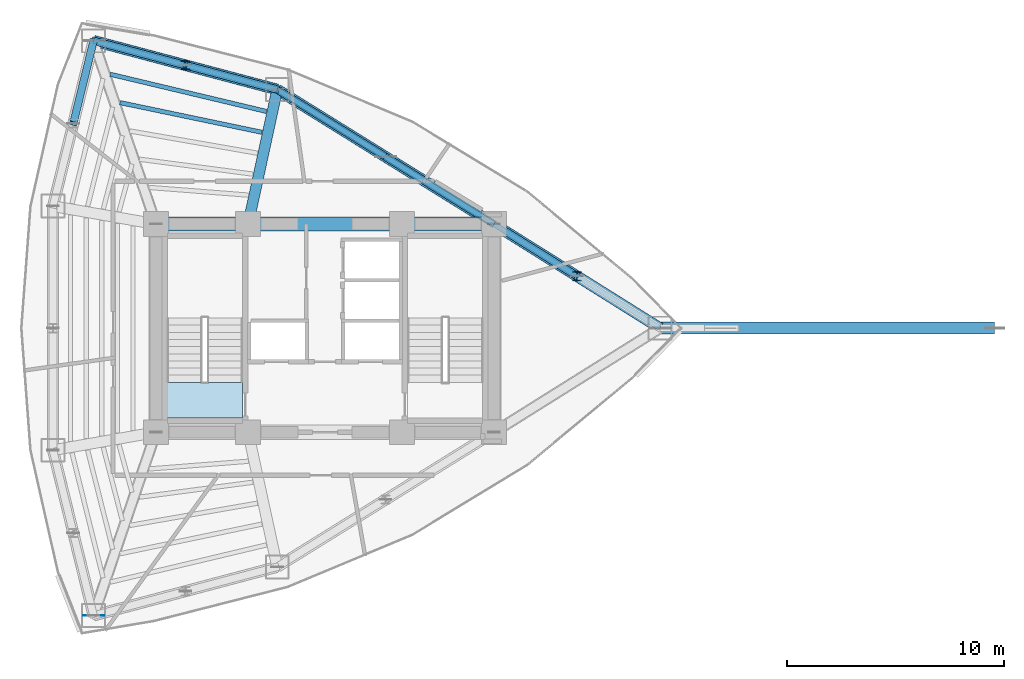
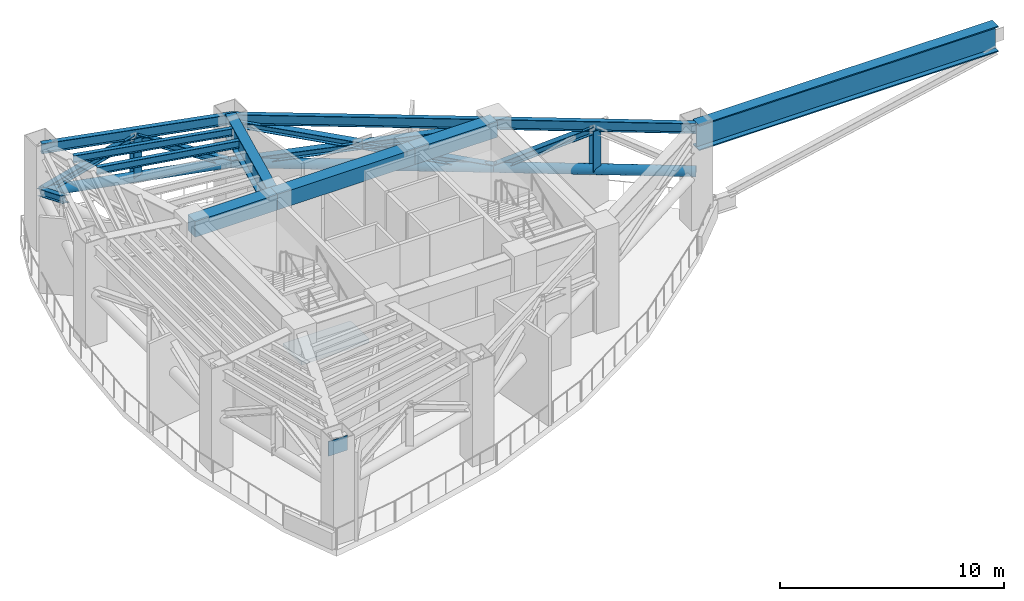
# One storey, part 3 of 8: 12 members, 10 beams, 1 plate, 1 slab, 1 element without a shape of its own.
"""IFC4 building model written with IfcOpenShell, lengths in metres."""

from ifc_helpers import new_model, si_unit, direction, frame, origin, origin_2d, place, context, subcontext, project, spatial, polyline, rectangle, hollow_circle, i_section, outline, extrude, material, layer, layer_set, material_profile, profile_set, type_object, element, aggregate, save


model = new_model("IFC4")

# Units and contexts
model_context = context("Model", 3, precision=1e-05, world=origin(), true_north=direction((0.0, 1.0)))
body_context = subcontext(model_context, "Body", "Model", "MODEL_VIEW")
ifc_project = project(units=[si_unit("LENGTHUNIT", "METRE"), si_unit("AREAUNIT", "SQUARE_METRE"), si_unit("VOLUMEUNIT", "CUBIC_METRE"), si_unit("PLANEANGLEUNIT", "RADIAN"), si_unit("MASSUNIT", "GRAM", prefix="KILO")], contexts=[model_context])

# Site, building, storey
site_placement = place(None, origin())
site = spatial("IfcSite", under=ifc_project, at=site_placement, CompositionType="ELEMENT")
building_placement = place(site_placement, origin())
building = spatial("IfcBuilding", under=site, at=building_placement, Name="Menara Vayukalpa", CompositionType="ELEMENT")
storey_placement = place(building_placement, frame((0.0, 0.0, 148.6201171875)))
storey = spatial("IfcBuildingStorey", under=building, at=storey_placement, Name="L37", CompositionType="ELEMENT", Elevation=148.6201171875)

# Beams
ifc_material_1 = material(Name="Concrete C60/75", Category="concrete")
ifc_material_profile_1 = material_profile(ifc_material_1, rectangle(XDim=0.64990234375, YDim=0.85009765625, at=origin_2d()), Name="RC 650x850")
ifc_profile_set_1 = profile_set([ifc_material_profile_1], Name="Concrete C60/75")
beam_type_1 = type_object("IfcBeamType", Name="BM-CB1", PredefinedType="BEAM", material=ifc_profile_set_1)
beam_1_placement = place(storey_placement, frame((17.800048828125, 26.800048828125, 4.994873046875), z_axis=(1.0, 0.0, 0.0), x_axis=(0.0, 1.0, 0.0)))
element("IfcBeam", 1, at=beam_1_placement, inside=storey, type_object=beam_type_1, Name="L37 Core Tie Beam CBR4", PredefinedType="BEAM", context=body_context, shape_type="SweptSolid", body=[
    extrude(rectangle(XDim=0.64990234375, YDim=0.85009765625, at=origin_2d()), origin(), (0.0, 0.0, 1.0), 4.25),
])
beam_2_placement = place(storey_placement, frame((22.050048828125, 26.800048828125, 4.994873046875), z_axis=(1.0, 0.0, 0.0), x_axis=(0.0, 1.0, 0.0)))
element("IfcBeam", 2, at=beam_2_placement, inside=storey, type_object=beam_type_1, Name="L37 Core Tie Beam CBR5", PredefinedType="BEAM", context=body_context, shape_type="SweptSolid", body=[
    extrude(rectangle(XDim=0.64990234375, YDim=0.85009765625, at=origin_2d()), origin(), (0.0, 0.0, 1.0), 7.099853515625),
])
beam_3_placement = place(storey_placement, frame((29.14990234375, 26.800048828125, 4.994873046875), z_axis=(1.0, 0.0, 0.0), x_axis=(0.0, 1.0, 0.0)))
element("IfcBeam", 3, at=beam_3_placement, inside=storey, type_object=beam_type_1, Name="L37 Core Tie Beam CBR6", PredefinedType="BEAM", context=body_context, shape_type="SweptSolid", body=[
    extrude(rectangle(XDim=0.64990234375, YDim=0.85009765625, at=origin_2d()), origin(), (0.0, 0.0, 1.0), 4.25),
])
ifc_material_2 = material(Name="Steel S355", Category="steel")
ifc_material_profile_2 = material_profile(ifc_material_2, i_section(OverallWidth=0.199951171875, OverallDepth=0.39990234375, WebThickness=0.008056640625, FlangeThickness=0.012939453125, at=origin_2d()), Name="WF 400x200x8x13")
ifc_profile_set_2 = profile_set([ifc_material_profile_2], Name="Steel S355")
beam_type_2 = type_object("IfcBeamType", Name="BM-SJ2", PredefinedType="JOIST", material=ifc_profile_set_2)
beam_4_placement = place(storey_placement, frame((22.692626953125, 31.0380859375, 5.219970703125), z_axis=(-0.978824266777, 0.204702356529, 0.0), x_axis=(-0.204702356529, -0.978824266777, 0.0)))
element("IfcBeam", 4, at=beam_4_placement, inside=storey, type_object=beam_type_2, Name="L37 Secondary Floor Joist SJ03-4", PredefinedType="JOIST", context=body_context, shape_type="SweptSolid", body=[
    extrude(i_section(OverallWidth=0.199951171875, OverallDepth=0.39990234375, WebThickness=0.008056640625, FlangeThickness=0.012939453125, at=origin_2d()), origin(), (0.0, 0.0, 1.0), 6.697998046875),
])
beam_5_placement = place(storey_placement, frame((22.9013671875, 32.000244140625, 5.219970703125), z_axis=(-0.972811512853, 0.231598273872, 0.0), x_axis=(-0.231598273872, -0.972811512853, 0.0)))
element("IfcBeam", 5, at=beam_5_placement, inside=storey, type_object=beam_type_2, Name="L37 Secondary Floor Joist SJ03-5", PredefinedType="JOIST", context=body_context, shape_type="SweptSolid", body=[
    extrude(i_section(OverallWidth=0.199951171875, OverallDepth=0.39990234375, WebThickness=0.008056640625, FlangeThickness=0.012939453125, at=origin_2d()), origin(), (0.0, 0.0, 1.0), 7.416015625),
])
ifc_material_3 = material(Name="Steel S355", Category="steel")
ifc_material_profile_3 = material_profile(ifc_material_3, i_section(OverallWidth=0.239990234375, OverallDepth=0.550048828125, WebThickness=0.010986328125, FlangeThickness=0.01904296875, at=origin_2d()), Name="WF 550x240x11x19")
ifc_profile_set_3 = profile_set([ifc_material_profile_3], Name="Steel S355")
beam_type_3 = type_object("IfcBeamType", Name="BM-SP2", PredefinedType="SPANDREL", material=ifc_profile_set_3)
beam_6_placement = place(storey_placement, frame((41.05908203125, 22.0, 5.144775390625), z_axis=(-0.847348220701, 0.531037656739, 0.0), x_axis=(-0.531037656739, -0.847348220701, 0.0)))
element("IfcBeam", 6, at=beam_6_placement, inside=storey, type_object=beam_type_3, Name="L37 Perimeter Spandrel Beam SP01", PredefinedType="SPANDREL", context=body_context, shape_type="SweptSolid", body=[
    extrude(i_section(OverallWidth=0.239990234375, OverallDepth=0.550048828125, WebThickness=0.010986328125, FlangeThickness=0.01904296875, at=origin_2d()), origin(), (0.0, 0.0, 1.0), 9.0390625),
])
beam_7_placement = place(storey_placement, frame((33.39990234375, 26.800048828125, 5.144775390625), z_axis=(-0.849518408464, 0.527558976495, 0.0), x_axis=(-0.527558976495, -0.849518408464, 0.0)))
element("IfcBeam", 7, at=beam_7_placement, inside=storey, type_object=beam_type_3, Name="L37 Perimeter Spandrel Beam SP02", PredefinedType="SPANDREL", context=body_context, shape_type="SweptSolid", body=[
    extrude(i_section(OverallWidth=0.239990234375, OverallDepth=0.550048828125, WebThickness=0.010986328125, FlangeThickness=0.01904296875, at=origin_2d()), origin(), (0.0, 0.0, 1.0), 11.77490234375),
])
beam_8_placement = place(storey_placement, frame((23.39697265625, 33.011962890625, 5.144775390625), z_axis=(-0.96657141455, 0.256397544009, 0.0), x_axis=(-0.256397544009, -0.96657141455, 0.0)))
element("IfcBeam", 8, at=beam_8_placement, inside=storey, type_object=beam_type_3, Name="L37 Perimeter Spandrel Beam SP03", PredefinedType="SPANDREL", context=body_context, shape_type="SweptSolid", body=[
    extrude(i_section(OverallWidth=0.239990234375, OverallDepth=0.550048828125, WebThickness=0.010986328125, FlangeThickness=0.01904296875, at=origin_2d()), origin(), (0.0, 0.0, 1.0), 8.769775390625),
])
ifc_material_4 = material(Name="Steel S460", Category="steel")
ifc_material_profile_4 = material_profile(ifc_material_4, i_section(OverallWidth=0.550048828125, OverallDepth=1.39990234375, WebThickness=0.031982421875, FlangeThickness=0.06005859375, at=origin_2d()), Name="WG 1400x550x32x60")
ifc_profile_set_4 = profile_set([ifc_material_profile_4], Name="Steel S460")
beam_type_4 = type_object("IfcBeamType", Name="BM-TG1E", PredefinedType="BEAM", material=ifc_profile_set_4)
beam_9_placement = place(storey_placement, frame((41.05908203125, 22.0, 4.719970703125), z_axis=(1.0, 0.0, 0.0), x_axis=(0.0, 1.0, 0.0)))
element("IfcBeam", 9, at=beam_9_placement, inside=storey, type_object=beam_type_4, Name="L37 SB3 Cantilever Support Transfer Girder 01", PredefinedType="BEAM", context=body_context, shape_type="SweptSolid", body=[
    extrude(i_section(OverallWidth=0.550048828125, OverallDepth=1.39990234375, WebThickness=0.031982421875, FlangeThickness=0.06005859375, at=origin_2d()), origin(), (0.0, 0.0, 1.0), 15.44287109375),
])
ifc_material_5 = material(Name="Steel S460", Category="steel")
ifc_material_profile_5 = material_profile(ifc_material_5, i_section(OverallWidth=0.5, OverallDepth=1.25, WebThickness=0.028076171875, FlangeThickness=0.054931640625, at=origin_2d()), Name="WG 1250x500x28x55")
ifc_profile_set_5 = profile_set([ifc_material_profile_5], Name="Steel S460")
beam_type_5 = type_object("IfcBeamType", Name="BM-TG2", PredefinedType="BEAM", material=ifc_profile_set_5)
beam_10_placement = place(storey_placement, frame((22.10302734375, 27.044189453125, 4.794921875), z_axis=(0.211898459532, 0.9772916877, 0.0), x_axis=(-0.9772916877, 0.211898459532, 0.0)))
element("IfcBeam", 10, at=beam_10_placement, inside=storey, type_object=beam_type_5, Name="L37 Primary Radial Girder RG03", PredefinedType="BEAM", context=body_context, shape_type="SweptSolid", body=[
    extrude(i_section(OverallWidth=0.5, OverallDepth=1.25, WebThickness=0.028076171875, FlangeThickness=0.054931640625, at=origin_2d()), origin(), (0.0, 0.0, 1.0), 6.1064453125),
])

# Members
ifc_material_6 = material(Name="Steel S355", Category="steel")
ifc_material_profile_6 = material_profile(ifc_material_6, i_section(OverallWidth=0.35009765625, OverallDepth=0.35009765625, WebThickness=0.011962890625, FlangeThickness=0.01904296875, at=origin_2d()), Name="H 350x350x12x19")
ifc_profile_set_6 = profile_set([ifc_material_profile_6], Name="Steel S355")
member_type_1 = type_object("IfcMemberType", Name="MEM-BT1", PredefinedType="BRACE", material=ifc_profile_set_6)
member_1_placement = place(storey_placement, frame((33.39990234375, 26.800048828125, 2.75), z_axis=(0.760541216967, -0.476659486421, 0.440877297328), x_axis=(0.531057049257, 0.847336066997, 0.0)))
element("IfcMember", 11, at=member_1_placement, inside=storey, type_object=member_type_1, Name="L37 Belt Truss Diagonal B01", PredefinedType="BRACE", context=body_context, shape_type="SweptSolid", body=[
    extrude(i_section(OverallWidth=0.35009765625, OverallDepth=0.35009765625, WebThickness=0.011962890625, FlangeThickness=0.01904296875, at=origin_2d()), origin(), (0.0, 0.0, 1.0), 5.035400390625),
])
member_2_placement = place(storey_placement, frame((33.39990234375, 26.800048828125, 2.75), z_axis=(-0.834811040159, 0.5184255615, 0.185271326471), x_axis=(-0.527558976495, -0.849518408464, 0.0)))
element("IfcMember", 12, at=member_2_placement, inside=storey, type_object=member_type_1, Name="L37 Belt X-Brace Continuous Diagonal 02", PredefinedType="BRACE", context=body_context, shape_type="SweptSolid", body=[
    extrude(i_section(OverallWidth=0.35009765625, OverallDepth=0.35009765625, WebThickness=0.011962890625, FlangeThickness=0.01904296875, at=origin_2d()), origin(), (0.0, 0.0, 1.0), 11.982177734375),
])
for number, where, z_axis, x_axis, name in (
    (13, (23.39697265625, 33.011962890625, 2.75), (0.834814191359, -0.518427518426, 0.185251650587), (0.527558976495, 0.849518408464, 0.0), "L37 Belt X-Brace Split Lower Diagonal 02A"),
    (14, (28.3984375, 29.906005859375, 3.85986328125), (0.834807888648, -0.518423604382, 0.185291002132), (0.527558976495, 0.849518408464, 0.0), "L37 Belt X-Brace Split Upper Diagonal 02B"),
):
    element("IfcMember", number, at=place(storey_placement, frame(where, z_axis=z_axis, x_axis=x_axis)), inside=storey, type_object=member_type_1, Name=name, PredefinedType="BRACE", context=body_context, shape_type="SweptSolid", body=[
        extrude(i_section(OverallWidth=0.35009765625, OverallDepth=0.35009765625, WebThickness=0.011962890625, FlangeThickness=0.01904296875, at=origin_2d()), origin(), (0.0, 0.0, 1.0), 5.9912109375),
    ])
for number, where, z_axis, x_axis, name in (
    (15, (23.39697265625, 33.011962890625, 2.75), (-0.862350412859, 0.228751362397, 0.451690800929), (-0.256397544009, -0.96657141455, 0.0), "L37 Belt Truss Diagonal A03"),
    (16, (14.92041015625, 35.260498046875, 2.75), (0.862350412859, -0.228751362397, 0.451690800929), (0.256397544009, 0.96657141455, 0.0), "L37 Belt Truss Diagonal B03"),
):
    element("IfcMember", number, at=place(storey_placement, frame(where, z_axis=z_axis, x_axis=x_axis)), inside=storey, type_object=member_type_1, Name=name, PredefinedType="BRACE", context=body_context, shape_type="SweptSolid", body=[
        extrude(i_section(OverallWidth=0.35009765625, OverallDepth=0.35009765625, WebThickness=0.011962890625, FlangeThickness=0.01904296875, at=origin_2d()), origin(), (0.0, 0.0, 1.0), 4.914794921875),
    ])
member_3_placement = place(storey_placement, frame((14.92041015625, 35.260498046875, 2.75), z_axis=(-0.20736967609, -0.845496821303, 0.492070058635), x_axis=(0.971215185657, -0.238203826897, 0.0)))
element("IfcMember", 17, at=member_3_placement, inside=storey, type_object=member_type_1, Name="L37 Belt Truss Diagonal A04", PredefinedType="BRACE", context=body_context, shape_type="SweptSolid", body=[
    extrude(i_section(OverallWidth=0.35009765625, OverallDepth=0.35009765625, WebThickness=0.011962890625, FlangeThickness=0.01904296875, at=origin_2d()), origin(), (0.0, 0.0, 1.0), 4.511474609375),
])
ifc_material_7 = material(Name="Steel S460", Category="steel")
ifc_material_profile_7 = material_profile(ifc_material_7, hollow_circle(Radius=0.25390625, WallThickness=0.02490234375, at=origin_2d()), Name="CHS 508.0x25")
ifc_profile_set_7 = profile_set([ifc_material_profile_7], Name="Steel S460")
member_type_2 = type_object("IfcMemberType", Name="MEM-CH1", PredefinedType="CHORD", material=ifc_profile_set_7)
member_4_placement = place(storey_placement, frame((41.05908203125, 22.0, 2.75), z_axis=(-0.847348220701, 0.531037656739, 0.0), x_axis=(-0.531037656739, -0.847348220701, 0.0)))
element("IfcMember", 18, at=member_4_placement, inside=storey, type_object=member_type_2, Name="L37 Belt Truss Bottom Chord 01", PredefinedType="CHORD", context=body_context, shape_type="SweptSolid", body=[
    extrude(hollow_circle(Radius=0.25390625, WallThickness=0.02490234375, at=origin_2d()), origin(), (0.0, 0.0, 1.0), 9.0390625),
])
member_5_placement = place(storey_placement, frame((33.39990234375, 26.800048828125, 2.75), z_axis=(-0.849518408464, 0.527558976495, 0.0), x_axis=(-0.527558976495, -0.849518408464, 0.0)))
element("IfcMember", 19, at=member_5_placement, inside=storey, type_object=member_type_2, Name="L37 Belt Truss Bottom Chord 02", PredefinedType="CHORD", context=body_context, shape_type="SweptSolid", body=[
    extrude(hollow_circle(Radius=0.25390625, WallThickness=0.02490234375, at=origin_2d()), origin(), (0.0, 0.0, 1.0), 11.77490234375),
])
member_6_placement = place(storey_placement, frame((23.39697265625, 33.011962890625, 2.75), z_axis=(-0.96657141455, 0.256397544009, 0.0), x_axis=(-0.256397544009, -0.96657141455, 0.0)))
element("IfcMember", 20, at=member_6_placement, inside=storey, type_object=member_type_2, Name="L37 Belt Truss Bottom Chord 03", PredefinedType="CHORD", context=body_context, shape_type="SweptSolid", body=[
    extrude(hollow_circle(Radius=0.25390625, WallThickness=0.02490234375, at=origin_2d()), origin(), (0.0, 0.0, 1.0), 8.769775390625),
])
ifc_material_8 = material(Name="Steel S355", Category="steel")
ifc_material_profile_8 = material_profile(ifc_material_8, i_section(OverallWidth=0.39990234375, OverallDepth=0.39990234375, WebThickness=0.012939453125, FlangeThickness=0.02099609375, at=origin_2d()), Name="H 400x400x13x21")
ifc_profile_set_8 = profile_set([ifc_material_profile_8], Name="Steel S355")
member_type_3 = type_object("IfcMemberType", Name="MEM-ST1", PredefinedType="STRUT", material=ifc_profile_set_8)
for number, where, z_axis, x_axis, name in (
    (21, (37.2294921875, 24.39990234375, 2.75), (0.0, 0.0, 1.0), (1.0, 0.0, 0.0), "L37 Belt Truss Vertical Strut 01"),
    (22, (19.15869140625, 34.13623046875, 2.75), (0.0, 0.0, 1.0), (1.0, 0.0, 0.0), "L37 Belt Truss Vertical Strut 03"),
):
    element("IfcMember", number, at=place(storey_placement, frame(where, z_axis=z_axis, x_axis=x_axis)), inside=storey, type_object=member_type_3, Name=name, PredefinedType="STRUT", context=body_context, shape_type="SweptSolid", body=[
        extrude(i_section(OverallWidth=0.39990234375, OverallDepth=0.39990234375, WebThickness=0.012939453125, FlangeThickness=0.02099609375, at=origin_2d()), origin(), (0.0, 0.0, 1.0), 2.219970703125),
    ])

# Plate
ifc_material_9 = material(Name="Steel S355", Category="steel")
ifc_layer_1 = layer(ifc_material_9, 0.0380859375)
ifc_layer_set_1 = layer_set([ifc_layer_1], Name="Steel S355")
plate_type = type_object("IfcPlateType", Name="PLT-OTN2", PredefinedType="USERDEFINED", material=ifc_layer_set_1)
plate_placement = place(storey_placement, frame((14.92041015625, 8.739501953125, 4.56982421875), z_axis=(0.0, 0.0, 1.0), x_axis=(1.0, 0.0, 0.0)))
element("IfcPlate", 23, at=plate_placement, inside=storey, type_object=plate_type, Name="L37 Outrigger Gusset Plate 07", ObjectType="GUSSET_PLATE", PredefinedType="USERDEFINED", context=body_context, shape_type="SweptSolid", body=[
    extrude(rectangle(XDim=0.97998046875, YDim=0.0380859375, at=origin_2d()), origin(), (0.0, 0.0, 1.0), 0.800048828125),
])

# Stair, slab
ifc_material_10 = material(Name="Precast Concrete C40/50", Category="concrete")
stair_type = type_object("IfcStairType", Name="STR-T05", PredefinedType="DOUBLE_RETURN_STAIR", material=ifc_material_10)
stair_placement = place(storey_placement, origin())
stair = element("IfcStair", 24, at=stair_placement, inside=storey, type_object=stair_type, Name="L37 Core Exit Stair ST-1", PredefinedType="DOUBLE_RETURN_STAIR")
ifc_material_11 = material(Name="Precast Concrete C40/50", Category="concrete")
ifc_layer_2 = layer(ifc_material_11, 0.199951171875)
ifc_layer_set_2 = layer_set([ifc_layer_2], Name="Precast Concrete C40/50")
slab_type = type_object("IfcSlabType", Name="SLB-LND200", PredefinedType="LANDING", material=ifc_layer_set_2)
slab_placement = place(storey_placement, frame((0.0, 0.0, 2.64990234375)))
slab = element("IfcSlab", 25, at=slab_placement, type_object=slab_type, Name="ST-1 landing 2", PredefinedType="LANDING", context=body_context, shape_type="SweptSolid", body=[
    extrude(outline(polyline([(21.800048828125, 17.85009765625), (21.800048828125, 19.5), (18.300048828125, 19.5), (18.300048828125, 17.85009765625), (21.800048828125, 17.85009765625)])), origin(), (0.0, 0.0, 1.0), 0.199951171875),
])
aggregate(stair, [slab])

save(model, "model.ifc")
